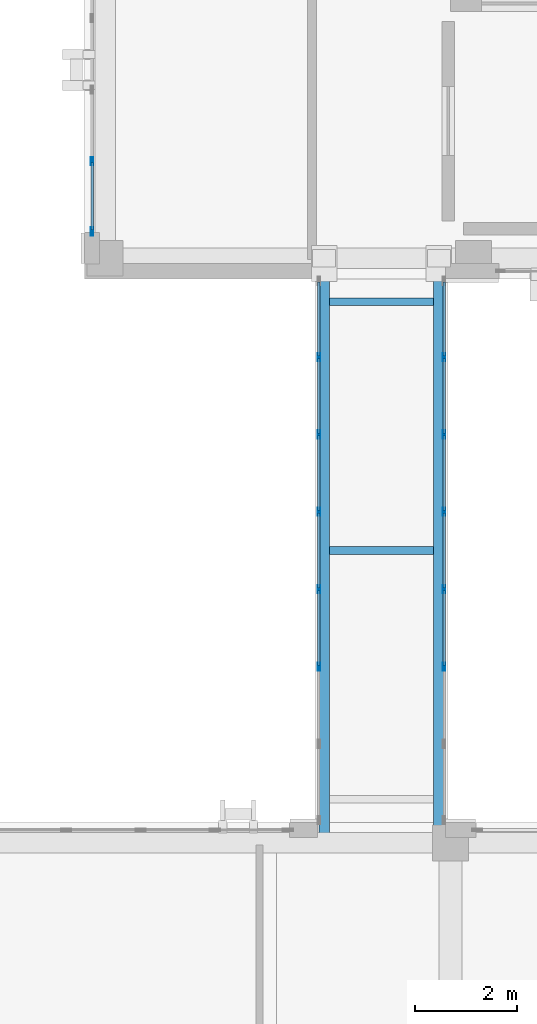
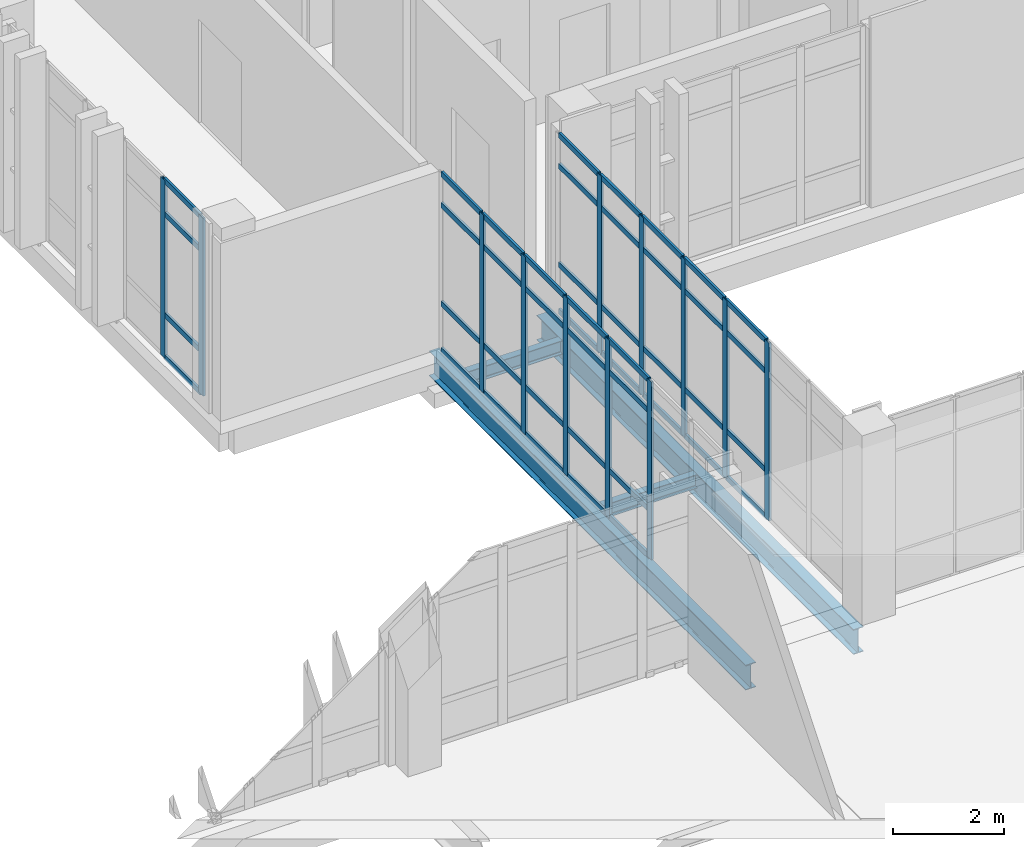
# One storey, part 55 of 165: 56 members, 4 beams, 3 elements without a shape of their own.
"""IFC4 building model written with IfcOpenShell, lengths in metres."""

from ifc_helpers import new_model, si_unit, direction, frame, origin, origin_2d, place, context, subcontext, project, spatial, hollow_rectangle, i_section, extrude, material, layer, layer_set, material_profile, profile_set, type_object, element, aggregate, save


model = new_model("IFC4")

# Units and contexts
model_context = context("Model", 3, precision=1e-05, world=origin(), true_north=direction((0.0, 1.0)))
body_context = subcontext(model_context, "Body", "Model", "MODEL_VIEW")
ifc_project = project(units=[si_unit("LENGTHUNIT", "METRE"), si_unit("AREAUNIT", "SQUARE_METRE"), si_unit("VOLUMEUNIT", "CUBIC_METRE"), si_unit("PLANEANGLEUNIT", "RADIAN"), si_unit("MASSUNIT", "GRAM", prefix="KILO")], contexts=[model_context])

# Site, building, storey
site_placement = place(None, origin())
site = spatial("IfcSite", under=ifc_project, at=site_placement, CompositionType="ELEMENT")
building_placement = place(site_placement, origin())
building = spatial("IfcBuilding", under=site, at=building_placement, Name="Qalavern Law Courts", CompositionType="ELEMENT")
storey_placement = place(building_placement, frame((0.0, 0.0, 14.39990234375)))
storey = spatial("IfcBuildingStorey", under=building, at=storey_placement, Name="L03", CompositionType="ELEMENT", Elevation=14.39990234375)

# Curtain wall, members
ifc_material_1 = material(Name="Anodised aluminium and insulated glazing", Category="aluminium")
ifc_layer_1 = layer(ifc_material_1, 0.172119140625)
ifc_layer_set_1 = layer_set([ifc_layer_1], Name="Anodised aluminium and insulated glazing")
curtain_wall_type_1 = type_object("IfcCurtainWallType", Name="ENV-CW-COURT", PredefinedType="USERDEFINED", material=ifc_layer_set_1)
curtain_wall_1_placement = place(storey_placement, origin())
curtain_wall_1 = element("IfcCurtainWall", 1, at=curtain_wall_1_placement, inside=storey, type_object=curtain_wall_type_1, Name="V4 unitised curtain wall L03 west 6", ObjectType="UNITISED CURTAIN WALL", PredefinedType="USERDEFINED")
ifc_material_2 = material(Name="Anodised aluminium", Category="aluminium")
ifc_material_profile_1 = material_profile(ifc_material_2, hollow_rectangle(XDim=0.048095703125, YDim=0.159912109375, WallThickness=0.00390625, at=origin_2d()), Name="ALU MULLION 48x160")
ifc_profile_set_1 = profile_set([ifc_material_profile_1], Name="Anodised aluminium")
member_type_1 = type_object("IfcMemberType", Name="ENV-CWM-48x160", PredefinedType="MULLION", material=ifc_profile_set_1)
member_1_placement = place(storey_placement, frame((84.347412109375, 43.31591796875, 0.0), z_axis=(0.0, 0.0, 1.0), x_axis=(1.0, 0.0, 0.0)))
member_1 = element("IfcMember", 2, at=member_1_placement, type_object=member_type_1, Name="CW-03 mullion 5", PredefinedType="MULLION", context=body_context, shape_type="SweptSolid", body=[
    extrude(hollow_rectangle(XDim=0.048095703125, YDim=0.159912109375, WallThickness=0.00390625, at=origin_2d()), origin(), (0.0, 0.0, 1.0), 3.920166015625),
])
member_2_placement = place(storey_placement, frame((84.347412109375, 41.944091796875, 0.0), z_axis=(0.0, 0.0, 1.0), x_axis=(1.0, 0.0, 0.0)))
member_2 = element("IfcMember", 3, at=member_2_placement, type_object=member_type_1, Name="CW-03 mullion 6", PredefinedType="MULLION", context=body_context, shape_type="SweptSolid", body=[
    extrude(hollow_rectangle(XDim=0.048095703125, YDim=0.159912109375, WallThickness=0.00390625, at=origin_2d()), origin(), (0.0, 0.0, 1.0), 3.920166015625),
])

ifc_layer_2 = layer(ifc_material_1, 0.14990234375)
ifc_layer_set_2 = layer_set([ifc_layer_2], Name="Anodised aluminium and insulated glazing")
curtain_wall_type_2 = type_object("IfcCurtainWallType", Name="ENV-CW-BRG", PredefinedType="USERDEFINED", material=ifc_layer_set_2)
curtain_wall_2_placement = place(storey_placement, origin())
curtain_wall_2 = element("IfcCurtainWall", 4, at=curtain_wall_2_placement, inside=storey, type_object=curtain_wall_type_2, Name="Bridge BR-V2-V4 glazed curtain wall L03-1", ObjectType="UNITISED CURTAIN WALL", PredefinedType="USERDEFINED")
member_3_placement = place(storey_placement, frame((88.77490234375, 39.488525390625, 0.0), z_axis=(0.0, 0.0, 1.0), x_axis=(1.0, 0.0, 0.0)))
member_3 = element("IfcMember", 5, at=member_3_placement, type_object=member_type_1, Name="CW-06 mullion 2", PredefinedType="MULLION", context=body_context, shape_type="SweptSolid", body=[
    extrude(hollow_rectangle(XDim=0.048095703125, YDim=0.159912109375, WallThickness=0.00390625, at=origin_2d()), origin(), (0.0, 0.0, 1.0), 3.920166015625),
])
member_4_placement = place(storey_placement, frame((88.77490234375, 37.97705078125, 0.0), z_axis=(0.0, 0.0, 1.0), x_axis=(1.0, 0.0, 0.0)))
member_4 = element("IfcMember", 6, at=member_4_placement, type_object=member_type_1, Name="CW-06 mullion 3", PredefinedType="MULLION", context=body_context, shape_type="SweptSolid", body=[
    extrude(hollow_rectangle(XDim=0.048095703125, YDim=0.159912109375, WallThickness=0.00390625, at=origin_2d()), origin(), (0.0, 0.0, 1.0), 3.920166015625),
])
member_5_placement = place(storey_placement, frame((88.77490234375, 36.4658203125, 0.0), z_axis=(0.0, 0.0, 1.0), x_axis=(1.0, 0.0, 0.0)))
member_5 = element("IfcMember", 7, at=member_5_placement, type_object=member_type_1, Name="CW-06 mullion 4", PredefinedType="MULLION", context=body_context, shape_type="SweptSolid", body=[
    extrude(hollow_rectangle(XDim=0.048095703125, YDim=0.159912109375, WallThickness=0.00390625, at=origin_2d()), origin(), (0.0, 0.0, 1.0), 3.920166015625),
])
member_6_placement = place(storey_placement, frame((88.77490234375, 34.954345703125, 0.0), z_axis=(0.0, 0.0, 1.0), x_axis=(1.0, 0.0, 0.0)))
member_6 = element("IfcMember", 8, at=member_6_placement, type_object=member_type_1, Name="CW-06 mullion 5", PredefinedType="MULLION", context=body_context, shape_type="SweptSolid", body=[
    extrude(hollow_rectangle(XDim=0.048095703125, YDim=0.159912109375, WallThickness=0.00390625, at=origin_2d()), origin(), (0.0, 0.0, 1.0), 3.920166015625),
])
member_7_placement = place(storey_placement, frame((88.77490234375, 33.44287109375, 0.0), z_axis=(0.0, 0.0, 1.0), x_axis=(1.0, 0.0, 0.0)))
member_7 = element("IfcMember", 9, at=member_7_placement, type_object=member_type_1, Name="CW-06 mullion 6", PredefinedType="MULLION", context=body_context, shape_type="SweptSolid", body=[
    extrude(hollow_rectangle(XDim=0.048095703125, YDim=0.159912109375, WallThickness=0.00390625, at=origin_2d()), origin(), (0.0, 0.0, 1.0), 3.920166015625),
])

curtain_wall_3_placement = place(storey_placement, origin())
curtain_wall_3 = element("IfcCurtainWall", 10, at=curtain_wall_3_placement, inside=storey, type_object=curtain_wall_type_2, Name="Bridge BR-V2-V4 glazed curtain wall L03-2", ObjectType="UNITISED CURTAIN WALL", PredefinedType="USERDEFINED")
member_8_placement = place(storey_placement, frame((91.22509765625, 33.44287109375, 0.0), z_axis=(0.0, 0.0, 1.0), x_axis=(-1.0, 0.0, 0.0)))
member_8 = element("IfcMember", 11, at=member_8_placement, type_object=member_type_1, Name="CW-06 mullion 3", PredefinedType="MULLION", context=body_context, shape_type="SweptSolid", body=[
    extrude(hollow_rectangle(XDim=0.048095703125, YDim=0.159912109375, WallThickness=0.00390625, at=origin_2d()), origin(), (0.0, 0.0, 1.0), 3.920166015625),
])
member_9_placement = place(storey_placement, frame((91.22509765625, 34.954345703125, 0.0), z_axis=(0.0, 0.0, 1.0), x_axis=(-1.0, 0.0, 0.0)))
member_9 = element("IfcMember", 12, at=member_9_placement, type_object=member_type_1, Name="CW-06 mullion 4", PredefinedType="MULLION", context=body_context, shape_type="SweptSolid", body=[
    extrude(hollow_rectangle(XDim=0.048095703125, YDim=0.159912109375, WallThickness=0.00390625, at=origin_2d()), origin(), (0.0, 0.0, 1.0), 3.920166015625),
])
member_10_placement = place(storey_placement, frame((91.22509765625, 36.4658203125, 0.0), z_axis=(0.0, 0.0, 1.0), x_axis=(-1.0, 0.0, 0.0)))
member_10 = element("IfcMember", 13, at=member_10_placement, type_object=member_type_1, Name="CW-06 mullion 5", PredefinedType="MULLION", context=body_context, shape_type="SweptSolid", body=[
    extrude(hollow_rectangle(XDim=0.048095703125, YDim=0.159912109375, WallThickness=0.00390625, at=origin_2d()), origin(), (0.0, 0.0, 1.0), 3.920166015625),
])
member_11_placement = place(storey_placement, frame((91.22509765625, 37.97705078125, 0.0), z_axis=(0.0, 0.0, 1.0), x_axis=(-1.0, 0.0, 0.0)))
member_11 = element("IfcMember", 14, at=member_11_placement, type_object=member_type_1, Name="CW-06 mullion 6", PredefinedType="MULLION", context=body_context, shape_type="SweptSolid", body=[
    extrude(hollow_rectangle(XDim=0.048095703125, YDim=0.159912109375, WallThickness=0.00390625, at=origin_2d()), origin(), (0.0, 0.0, 1.0), 3.920166015625),
])
member_12_placement = place(storey_placement, frame((91.22509765625, 39.488525390625, 0.0), z_axis=(0.0, 0.0, 1.0), x_axis=(-1.0, 0.0, 0.0)))
member_12 = element("IfcMember", 15, at=member_12_placement, type_object=member_type_1, Name="CW-06 mullion 7", PredefinedType="MULLION", context=body_context, shape_type="SweptSolid", body=[
    extrude(hollow_rectangle(XDim=0.048095703125, YDim=0.159912109375, WallThickness=0.00390625, at=origin_2d()), origin(), (0.0, 0.0, 1.0), 3.920166015625),
])

# Member
ifc_material_profile_2 = material_profile(ifc_material_2, hollow_rectangle(XDim=0.048095703125, YDim=0.1201171875, WallThickness=0.00390625, at=origin_2d()), Name="ALU TRANSOM 48x120")
ifc_profile_set_2 = profile_set([ifc_material_profile_2], Name="Anodised aluminium")
member_type_2 = type_object("IfcMemberType", Name="ENV-CWT-48x120", PredefinedType="USERDEFINED", material=ifc_profile_set_2)
member_13_placement = place(storey_placement, frame((84.347412109375, 43.2919921875, 0.024169921875), z_axis=(0.0, -1.0, 0.0), x_axis=(1.0, 0.0, 0.0)))
member_13 = element("IfcMember", 16, at=member_13_placement, type_object=member_type_2, Name="CW-03 transom 5.1", ObjectType="TRANSOM", PredefinedType="USERDEFINED", context=body_context, shape_type="SweptSolid", body=[
    extrude(hollow_rectangle(XDim=0.048095703125, YDim=0.1201171875, WallThickness=0.00390625, at=origin_2d()), origin(), (0.0, 0.0, 1.0), 1.323974609375),
])

member_14_placement = place(storey_placement, frame((84.347412109375, 43.2919921875, 0.9501953125), z_axis=(0.0, -1.0, 0.0), x_axis=(1.0, 0.0, 0.0)))
member_14 = element("IfcMember", 17, at=member_14_placement, type_object=member_type_2, Name="CW-03 transom 5.2", ObjectType="TRANSOM", PredefinedType="USERDEFINED", context=body_context, shape_type="SweptSolid", body=[
    extrude(hollow_rectangle(XDim=0.048095703125, YDim=0.1201171875, WallThickness=0.00390625, at=origin_2d()), origin(), (0.0, 0.0, 1.0), 1.323974609375),
])

member_15_placement = place(storey_placement, frame((84.347412109375, 43.2919921875, 3.170166015625), z_axis=(0.0, -1.0, 0.0), x_axis=(1.0, 0.0, 0.0)))
member_15 = element("IfcMember", 18, at=member_15_placement, type_object=member_type_2, Name="CW-03 transom 5.3", ObjectType="TRANSOM", PredefinedType="USERDEFINED", context=body_context, shape_type="SweptSolid", body=[
    extrude(hollow_rectangle(XDim=0.048095703125, YDim=0.1201171875, WallThickness=0.00390625, at=origin_2d()), origin(), (0.0, 0.0, 1.0), 1.323974609375),
])

member_16_placement = place(storey_placement, frame((84.347412109375, 43.2919921875, 3.89599609375), z_axis=(0.0, -1.0, 0.0), x_axis=(1.0, 0.0, 0.0)))
member_16 = element("IfcMember", 19, at=member_16_placement, type_object=member_type_2, Name="CW-03 transom 5.4", ObjectType="TRANSOM", PredefinedType="USERDEFINED", context=body_context, shape_type="SweptSolid", body=[
    extrude(hollow_rectangle(XDim=0.048095703125, YDim=0.1201171875, WallThickness=0.00390625, at=origin_2d()), origin(), (0.0, 0.0, 1.0), 1.323974609375),
])

aggregate(curtain_wall_1, [member_1, member_2, member_13, member_14, member_15, member_16])

member_17_placement = place(storey_placement, frame((88.77490234375, 40.951904296875, 0.024169921875), z_axis=(0.0, -1.0, 0.0), x_axis=(1.0, 0.0, 0.0)))
member_17 = element("IfcMember", 20, at=member_17_placement, type_object=member_type_2, Name="CW-06 transom 1.1", ObjectType="TRANSOM", PredefinedType="USERDEFINED", context=body_context, shape_type="SweptSolid", body=[
    extrude(hollow_rectangle(XDim=0.048095703125, YDim=0.1201171875, WallThickness=0.00390625, at=origin_2d()), origin(), (0.0, 0.0, 1.0), 1.439453125),
])

member_18_placement = place(storey_placement, frame((88.77490234375, 40.951904296875, 1.050048828125), z_axis=(0.0, -1.0, 0.0), x_axis=(1.0, 0.0, 0.0)))
member_18 = element("IfcMember", 21, at=member_18_placement, type_object=member_type_2, Name="CW-06 transom 1.2", ObjectType="TRANSOM", PredefinedType="USERDEFINED", context=body_context, shape_type="SweptSolid", body=[
    extrude(hollow_rectangle(XDim=0.048095703125, YDim=0.1201171875, WallThickness=0.00390625, at=origin_2d()), origin(), (0.0, 0.0, 1.0), 1.439453125),
])

member_19_placement = place(storey_placement, frame((88.77490234375, 40.951904296875, 3.22021484375), z_axis=(0.0, -1.0, 0.0), x_axis=(1.0, 0.0, 0.0)))
member_19 = element("IfcMember", 22, at=member_19_placement, type_object=member_type_2, Name="CW-06 transom 1.3", ObjectType="TRANSOM", PredefinedType="USERDEFINED", context=body_context, shape_type="SweptSolid", body=[
    extrude(hollow_rectangle(XDim=0.048095703125, YDim=0.1201171875, WallThickness=0.00390625, at=origin_2d()), origin(), (0.0, 0.0, 1.0), 1.439453125),
])

member_20_placement = place(storey_placement, frame((88.77490234375, 40.951904296875, 3.89599609375), z_axis=(0.0, -1.0, 0.0), x_axis=(1.0, 0.0, 0.0)))
member_20 = element("IfcMember", 23, at=member_20_placement, type_object=member_type_2, Name="CW-06 transom 1.4", ObjectType="TRANSOM", PredefinedType="USERDEFINED", context=body_context, shape_type="SweptSolid", body=[
    extrude(hollow_rectangle(XDim=0.048095703125, YDim=0.1201171875, WallThickness=0.00390625, at=origin_2d()), origin(), (0.0, 0.0, 1.0), 1.439453125),
])

member_21_placement = place(storey_placement, frame((88.77490234375, 39.464599609375, 0.024169921875), z_axis=(0.0, -1.0, 0.0), x_axis=(1.0, 0.0, 0.0)))
member_21 = element("IfcMember", 24, at=member_21_placement, type_object=member_type_2, Name="CW-06 transom 2.1", ObjectType="TRANSOM", PredefinedType="USERDEFINED", context=body_context, shape_type="SweptSolid", body=[
    extrude(hollow_rectangle(XDim=0.048095703125, YDim=0.1201171875, WallThickness=0.00390625, at=origin_2d()), origin(), (0.0, 0.0, 1.0), 1.46337890625),
])

member_22_placement = place(storey_placement, frame((88.77490234375, 39.464599609375, 1.050048828125), z_axis=(0.0, -1.0, 0.0), x_axis=(1.0, 0.0, 0.0)))
member_22 = element("IfcMember", 25, at=member_22_placement, type_object=member_type_2, Name="CW-06 transom 2.2", ObjectType="TRANSOM", PredefinedType="USERDEFINED", context=body_context, shape_type="SweptSolid", body=[
    extrude(hollow_rectangle(XDim=0.048095703125, YDim=0.1201171875, WallThickness=0.00390625, at=origin_2d()), origin(), (0.0, 0.0, 1.0), 1.46337890625),
])

member_23_placement = place(storey_placement, frame((88.77490234375, 39.464599609375, 3.22021484375), z_axis=(0.0, -1.0, 0.0), x_axis=(1.0, 0.0, 0.0)))
member_23 = element("IfcMember", 26, at=member_23_placement, type_object=member_type_2, Name="CW-06 transom 2.3", ObjectType="TRANSOM", PredefinedType="USERDEFINED", context=body_context, shape_type="SweptSolid", body=[
    extrude(hollow_rectangle(XDim=0.048095703125, YDim=0.1201171875, WallThickness=0.00390625, at=origin_2d()), origin(), (0.0, 0.0, 1.0), 1.46337890625),
])

member_24_placement = place(storey_placement, frame((88.77490234375, 39.464599609375, 3.89599609375), z_axis=(0.0, -1.0, 0.0), x_axis=(1.0, 0.0, 0.0)))
member_24 = element("IfcMember", 27, at=member_24_placement, type_object=member_type_2, Name="CW-06 transom 2.4", ObjectType="TRANSOM", PredefinedType="USERDEFINED", context=body_context, shape_type="SweptSolid", body=[
    extrude(hollow_rectangle(XDim=0.048095703125, YDim=0.1201171875, WallThickness=0.00390625, at=origin_2d()), origin(), (0.0, 0.0, 1.0), 1.46337890625),
])

member_25_placement = place(storey_placement, frame((88.77490234375, 37.953125, 0.024169921875), z_axis=(0.0, -1.0, 0.0), x_axis=(1.0, 0.0, 0.0)))
member_25 = element("IfcMember", 28, at=member_25_placement, type_object=member_type_2, Name="CW-06 transom 3.1", ObjectType="TRANSOM", PredefinedType="USERDEFINED", context=body_context, shape_type="SweptSolid", body=[
    extrude(hollow_rectangle(XDim=0.048095703125, YDim=0.1201171875, WallThickness=0.00390625, at=origin_2d()), origin(), (0.0, 0.0, 1.0), 1.46337890625),
])

member_26_placement = place(storey_placement, frame((88.77490234375, 37.953125, 1.050048828125), z_axis=(0.0, -1.0, 0.0), x_axis=(1.0, 0.0, 0.0)))
member_26 = element("IfcMember", 29, at=member_26_placement, type_object=member_type_2, Name="CW-06 transom 3.2", ObjectType="TRANSOM", PredefinedType="USERDEFINED", context=body_context, shape_type="SweptSolid", body=[
    extrude(hollow_rectangle(XDim=0.048095703125, YDim=0.1201171875, WallThickness=0.00390625, at=origin_2d()), origin(), (0.0, 0.0, 1.0), 1.46337890625),
])

member_27_placement = place(storey_placement, frame((88.77490234375, 37.953125, 3.22021484375), z_axis=(0.0, -1.0, 0.0), x_axis=(1.0, 0.0, 0.0)))
member_27 = element("IfcMember", 30, at=member_27_placement, type_object=member_type_2, Name="CW-06 transom 3.3", ObjectType="TRANSOM", PredefinedType="USERDEFINED", context=body_context, shape_type="SweptSolid", body=[
    extrude(hollow_rectangle(XDim=0.048095703125, YDim=0.1201171875, WallThickness=0.00390625, at=origin_2d()), origin(), (0.0, 0.0, 1.0), 1.46337890625),
])

member_28_placement = place(storey_placement, frame((88.77490234375, 37.953125, 3.89599609375), z_axis=(0.0, -1.0, 0.0), x_axis=(1.0, 0.0, 0.0)))
member_28 = element("IfcMember", 31, at=member_28_placement, type_object=member_type_2, Name="CW-06 transom 3.4", ObjectType="TRANSOM", PredefinedType="USERDEFINED", context=body_context, shape_type="SweptSolid", body=[
    extrude(hollow_rectangle(XDim=0.048095703125, YDim=0.1201171875, WallThickness=0.00390625, at=origin_2d()), origin(), (0.0, 0.0, 1.0), 1.46337890625),
])

member_29_placement = place(storey_placement, frame((88.77490234375, 36.441650390625, 0.024169921875), z_axis=(0.0, -1.0, 0.0), x_axis=(1.0, 0.0, 0.0)))
member_29 = element("IfcMember", 32, at=member_29_placement, type_object=member_type_2, Name="CW-06 transom 4.1", ObjectType="TRANSOM", PredefinedType="USERDEFINED", context=body_context, shape_type="SweptSolid", body=[
    extrude(hollow_rectangle(XDim=0.048095703125, YDim=0.1201171875, WallThickness=0.00390625, at=origin_2d()), origin(), (0.0, 0.0, 1.0), 1.46337890625),
])

member_30_placement = place(storey_placement, frame((88.77490234375, 36.441650390625, 1.050048828125), z_axis=(0.0, -1.0, 0.0), x_axis=(1.0, 0.0, 0.0)))
member_30 = element("IfcMember", 33, at=member_30_placement, type_object=member_type_2, Name="CW-06 transom 4.2", ObjectType="TRANSOM", PredefinedType="USERDEFINED", context=body_context, shape_type="SweptSolid", body=[
    extrude(hollow_rectangle(XDim=0.048095703125, YDim=0.1201171875, WallThickness=0.00390625, at=origin_2d()), origin(), (0.0, 0.0, 1.0), 1.46337890625),
])

member_31_placement = place(storey_placement, frame((88.77490234375, 36.441650390625, 3.22021484375), z_axis=(0.0, -1.0, 0.0), x_axis=(1.0, 0.0, 0.0)))
member_31 = element("IfcMember", 34, at=member_31_placement, type_object=member_type_2, Name="CW-06 transom 4.3", ObjectType="TRANSOM", PredefinedType="USERDEFINED", context=body_context, shape_type="SweptSolid", body=[
    extrude(hollow_rectangle(XDim=0.048095703125, YDim=0.1201171875, WallThickness=0.00390625, at=origin_2d()), origin(), (0.0, 0.0, 1.0), 1.46337890625),
])

member_32_placement = place(storey_placement, frame((88.77490234375, 36.441650390625, 3.89599609375), z_axis=(0.0, -1.0, 0.0), x_axis=(1.0, 0.0, 0.0)))
member_32 = element("IfcMember", 35, at=member_32_placement, type_object=member_type_2, Name="CW-06 transom 4.4", ObjectType="TRANSOM", PredefinedType="USERDEFINED", context=body_context, shape_type="SweptSolid", body=[
    extrude(hollow_rectangle(XDim=0.048095703125, YDim=0.1201171875, WallThickness=0.00390625, at=origin_2d()), origin(), (0.0, 0.0, 1.0), 1.46337890625),
])

member_33_placement = place(storey_placement, frame((88.77490234375, 34.93017578125, 0.024169921875), z_axis=(0.0, -1.0, 0.0), x_axis=(1.0, 0.0, 0.0)))
member_33 = element("IfcMember", 36, at=member_33_placement, type_object=member_type_2, Name="CW-06 transom 5.1", ObjectType="TRANSOM", PredefinedType="USERDEFINED", context=body_context, shape_type="SweptSolid", body=[
    extrude(hollow_rectangle(XDim=0.048095703125, YDim=0.1201171875, WallThickness=0.00390625, at=origin_2d()), origin(), (0.0, 0.0, 1.0), 1.46337890625),
])

member_34_placement = place(storey_placement, frame((88.77490234375, 34.93017578125, 1.050048828125), z_axis=(0.0, -1.0, 0.0), x_axis=(1.0, 0.0, 0.0)))
member_34 = element("IfcMember", 37, at=member_34_placement, type_object=member_type_2, Name="CW-06 transom 5.2", ObjectType="TRANSOM", PredefinedType="USERDEFINED", context=body_context, shape_type="SweptSolid", body=[
    extrude(hollow_rectangle(XDim=0.048095703125, YDim=0.1201171875, WallThickness=0.00390625, at=origin_2d()), origin(), (0.0, 0.0, 1.0), 1.46337890625),
])

member_35_placement = place(storey_placement, frame((88.77490234375, 34.93017578125, 3.22021484375), z_axis=(0.0, -1.0, 0.0), x_axis=(1.0, 0.0, 0.0)))
member_35 = element("IfcMember", 38, at=member_35_placement, type_object=member_type_2, Name="CW-06 transom 5.3", ObjectType="TRANSOM", PredefinedType="USERDEFINED", context=body_context, shape_type="SweptSolid", body=[
    extrude(hollow_rectangle(XDim=0.048095703125, YDim=0.1201171875, WallThickness=0.00390625, at=origin_2d()), origin(), (0.0, 0.0, 1.0), 1.46337890625),
])

member_36_placement = place(storey_placement, frame((88.77490234375, 34.93017578125, 3.89599609375), z_axis=(0.0, -1.0, 0.0), x_axis=(1.0, 0.0, 0.0)))
member_36 = element("IfcMember", 39, at=member_36_placement, type_object=member_type_2, Name="CW-06 transom 5.4", ObjectType="TRANSOM", PredefinedType="USERDEFINED", context=body_context, shape_type="SweptSolid", body=[
    extrude(hollow_rectangle(XDim=0.048095703125, YDim=0.1201171875, WallThickness=0.00390625, at=origin_2d()), origin(), (0.0, 0.0, 1.0), 1.46337890625),
])

aggregate(curtain_wall_2, [member_3, member_4, member_5, member_6, member_7, member_17, member_18, member_19, member_20, member_21, member_22, member_23, member_24, member_25, member_26, member_27, member_28, member_29, member_30, member_31, member_32, member_33, member_34, member_35, member_36])

member_37_placement = place(storey_placement, frame((91.22509765625, 33.466796875, 0.024169921875), z_axis=(0.0, 1.0, 0.0), x_axis=(-1.0, 0.0, 0.0)))
member_37 = element("IfcMember", 40, at=member_37_placement, type_object=member_type_2, Name="CW-06 transom 3.1", ObjectType="TRANSOM", PredefinedType="USERDEFINED", context=body_context, shape_type="SweptSolid", body=[
    extrude(hollow_rectangle(XDim=0.048095703125, YDim=0.1201171875, WallThickness=0.00390625, at=origin_2d()), origin(), (0.0, 0.0, 1.0), 1.46337890625),
])

member_38_placement = place(storey_placement, frame((91.22509765625, 33.466796875, 1.050048828125), z_axis=(0.0, 1.0, 0.0), x_axis=(-1.0, 0.0, 0.0)))
member_38 = element("IfcMember", 41, at=member_38_placement, type_object=member_type_2, Name="CW-06 transom 3.2", ObjectType="TRANSOM", PredefinedType="USERDEFINED", context=body_context, shape_type="SweptSolid", body=[
    extrude(hollow_rectangle(XDim=0.048095703125, YDim=0.1201171875, WallThickness=0.00390625, at=origin_2d()), origin(), (0.0, 0.0, 1.0), 1.46337890625),
])

member_39_placement = place(storey_placement, frame((91.22509765625, 33.466796875, 3.22021484375), z_axis=(0.0, 1.0, 0.0), x_axis=(-1.0, 0.0, 0.0)))
member_39 = element("IfcMember", 42, at=member_39_placement, type_object=member_type_2, Name="CW-06 transom 3.3", ObjectType="TRANSOM", PredefinedType="USERDEFINED", context=body_context, shape_type="SweptSolid", body=[
    extrude(hollow_rectangle(XDim=0.048095703125, YDim=0.1201171875, WallThickness=0.00390625, at=origin_2d()), origin(), (0.0, 0.0, 1.0), 1.46337890625),
])

member_40_placement = place(storey_placement, frame((91.22509765625, 33.466796875, 3.89599609375), z_axis=(0.0, 1.0, 0.0), x_axis=(-1.0, 0.0, 0.0)))
member_40 = element("IfcMember", 43, at=member_40_placement, type_object=member_type_2, Name="CW-06 transom 3.4", ObjectType="TRANSOM", PredefinedType="USERDEFINED", context=body_context, shape_type="SweptSolid", body=[
    extrude(hollow_rectangle(XDim=0.048095703125, YDim=0.1201171875, WallThickness=0.00390625, at=origin_2d()), origin(), (0.0, 0.0, 1.0), 1.46337890625),
])

member_41_placement = place(storey_placement, frame((91.22509765625, 34.978271484375, 0.024169921875), z_axis=(0.0, 1.0, 0.0), x_axis=(-1.0, 0.0, 0.0)))
member_41 = element("IfcMember", 44, at=member_41_placement, type_object=member_type_2, Name="CW-06 transom 4.1", ObjectType="TRANSOM", PredefinedType="USERDEFINED", context=body_context, shape_type="SweptSolid", body=[
    extrude(hollow_rectangle(XDim=0.048095703125, YDim=0.1201171875, WallThickness=0.00390625, at=origin_2d()), origin(), (0.0, 0.0, 1.0), 1.46337890625),
])

member_42_placement = place(storey_placement, frame((91.22509765625, 34.978271484375, 1.050048828125), z_axis=(0.0, 1.0, 0.0), x_axis=(-1.0, 0.0, 0.0)))
member_42 = element("IfcMember", 45, at=member_42_placement, type_object=member_type_2, Name="CW-06 transom 4.2", ObjectType="TRANSOM", PredefinedType="USERDEFINED", context=body_context, shape_type="SweptSolid", body=[
    extrude(hollow_rectangle(XDim=0.048095703125, YDim=0.1201171875, WallThickness=0.00390625, at=origin_2d()), origin(), (0.0, 0.0, 1.0), 1.46337890625),
])

member_43_placement = place(storey_placement, frame((91.22509765625, 34.978271484375, 3.22021484375), z_axis=(0.0, 1.0, 0.0), x_axis=(-1.0, 0.0, 0.0)))
member_43 = element("IfcMember", 46, at=member_43_placement, type_object=member_type_2, Name="CW-06 transom 4.3", ObjectType="TRANSOM", PredefinedType="USERDEFINED", context=body_context, shape_type="SweptSolid", body=[
    extrude(hollow_rectangle(XDim=0.048095703125, YDim=0.1201171875, WallThickness=0.00390625, at=origin_2d()), origin(), (0.0, 0.0, 1.0), 1.46337890625),
])

member_44_placement = place(storey_placement, frame((91.22509765625, 34.978271484375, 3.89599609375), z_axis=(0.0, 1.0, 0.0), x_axis=(-1.0, 0.0, 0.0)))
member_44 = element("IfcMember", 47, at=member_44_placement, type_object=member_type_2, Name="CW-06 transom 4.4", ObjectType="TRANSOM", PredefinedType="USERDEFINED", context=body_context, shape_type="SweptSolid", body=[
    extrude(hollow_rectangle(XDim=0.048095703125, YDim=0.1201171875, WallThickness=0.00390625, at=origin_2d()), origin(), (0.0, 0.0, 1.0), 1.46337890625),
])

member_45_placement = place(storey_placement, frame((91.22509765625, 36.48974609375, 0.024169921875), z_axis=(0.0, 1.0, 0.0), x_axis=(-1.0, 0.0, 0.0)))
member_45 = element("IfcMember", 48, at=member_45_placement, type_object=member_type_2, Name="CW-06 transom 5.1", ObjectType="TRANSOM", PredefinedType="USERDEFINED", context=body_context, shape_type="SweptSolid", body=[
    extrude(hollow_rectangle(XDim=0.048095703125, YDim=0.1201171875, WallThickness=0.00390625, at=origin_2d()), origin(), (0.0, 0.0, 1.0), 1.46337890625),
])

member_46_placement = place(storey_placement, frame((91.22509765625, 36.48974609375, 1.050048828125), z_axis=(0.0, 1.0, 0.0), x_axis=(-1.0, 0.0, 0.0)))
member_46 = element("IfcMember", 49, at=member_46_placement, type_object=member_type_2, Name="CW-06 transom 5.2", ObjectType="TRANSOM", PredefinedType="USERDEFINED", context=body_context, shape_type="SweptSolid", body=[
    extrude(hollow_rectangle(XDim=0.048095703125, YDim=0.1201171875, WallThickness=0.00390625, at=origin_2d()), origin(), (0.0, 0.0, 1.0), 1.46337890625),
])

member_47_placement = place(storey_placement, frame((91.22509765625, 36.48974609375, 3.22021484375), z_axis=(0.0, 1.0, 0.0), x_axis=(-1.0, 0.0, 0.0)))
member_47 = element("IfcMember", 50, at=member_47_placement, type_object=member_type_2, Name="CW-06 transom 5.3", ObjectType="TRANSOM", PredefinedType="USERDEFINED", context=body_context, shape_type="SweptSolid", body=[
    extrude(hollow_rectangle(XDim=0.048095703125, YDim=0.1201171875, WallThickness=0.00390625, at=origin_2d()), origin(), (0.0, 0.0, 1.0), 1.46337890625),
])

member_48_placement = place(storey_placement, frame((91.22509765625, 36.48974609375, 3.89599609375), z_axis=(0.0, 1.0, 0.0), x_axis=(-1.0, 0.0, 0.0)))
member_48 = element("IfcMember", 51, at=member_48_placement, type_object=member_type_2, Name="CW-06 transom 5.4", ObjectType="TRANSOM", PredefinedType="USERDEFINED", context=body_context, shape_type="SweptSolid", body=[
    extrude(hollow_rectangle(XDim=0.048095703125, YDim=0.1201171875, WallThickness=0.00390625, at=origin_2d()), origin(), (0.0, 0.0, 1.0), 1.46337890625),
])

member_49_placement = place(storey_placement, frame((91.22509765625, 38.001220703125, 0.024169921875), z_axis=(0.0, 1.0, 0.0), x_axis=(-1.0, 0.0, 0.0)))
member_49 = element("IfcMember", 52, at=member_49_placement, type_object=member_type_2, Name="CW-06 transom 6.1", ObjectType="TRANSOM", PredefinedType="USERDEFINED", context=body_context, shape_type="SweptSolid", body=[
    extrude(hollow_rectangle(XDim=0.048095703125, YDim=0.1201171875, WallThickness=0.00390625, at=origin_2d()), origin(), (0.0, 0.0, 1.0), 1.46337890625),
])

member_50_placement = place(storey_placement, frame((91.22509765625, 38.001220703125, 1.050048828125), z_axis=(0.0, 1.0, 0.0), x_axis=(-1.0, 0.0, 0.0)))
member_50 = element("IfcMember", 53, at=member_50_placement, type_object=member_type_2, Name="CW-06 transom 6.2", ObjectType="TRANSOM", PredefinedType="USERDEFINED", context=body_context, shape_type="SweptSolid", body=[
    extrude(hollow_rectangle(XDim=0.048095703125, YDim=0.1201171875, WallThickness=0.00390625, at=origin_2d()), origin(), (0.0, 0.0, 1.0), 1.46337890625),
])

member_51_placement = place(storey_placement, frame((91.22509765625, 38.001220703125, 3.22021484375), z_axis=(0.0, 1.0, 0.0), x_axis=(-1.0, 0.0, 0.0)))
member_51 = element("IfcMember", 54, at=member_51_placement, type_object=member_type_2, Name="CW-06 transom 6.3", ObjectType="TRANSOM", PredefinedType="USERDEFINED", context=body_context, shape_type="SweptSolid", body=[
    extrude(hollow_rectangle(XDim=0.048095703125, YDim=0.1201171875, WallThickness=0.00390625, at=origin_2d()), origin(), (0.0, 0.0, 1.0), 1.46337890625),
])

member_52_placement = place(storey_placement, frame((91.22509765625, 38.001220703125, 3.89599609375), z_axis=(0.0, 1.0, 0.0), x_axis=(-1.0, 0.0, 0.0)))
member_52 = element("IfcMember", 55, at=member_52_placement, type_object=member_type_2, Name="CW-06 transom 6.4", ObjectType="TRANSOM", PredefinedType="USERDEFINED", context=body_context, shape_type="SweptSolid", body=[
    extrude(hollow_rectangle(XDim=0.048095703125, YDim=0.1201171875, WallThickness=0.00390625, at=origin_2d()), origin(), (0.0, 0.0, 1.0), 1.46337890625),
])

member_53_placement = place(storey_placement, frame((91.22509765625, 39.512451171875, 0.024169921875), z_axis=(0.0, 1.0, 0.0), x_axis=(-1.0, 0.0, 0.0)))
member_53 = element("IfcMember", 56, at=member_53_placement, type_object=member_type_2, Name="CW-06 transom 7.1", ObjectType="TRANSOM", PredefinedType="USERDEFINED", context=body_context, shape_type="SweptSolid", body=[
    extrude(hollow_rectangle(XDim=0.048095703125, YDim=0.1201171875, WallThickness=0.00390625, at=origin_2d()), origin(), (0.0, 0.0, 1.0), 1.439453125),
])

member_54_placement = place(storey_placement, frame((91.22509765625, 39.512451171875, 1.050048828125), z_axis=(0.0, 1.0, 0.0), x_axis=(-1.0, 0.0, 0.0)))
member_54 = element("IfcMember", 57, at=member_54_placement, type_object=member_type_2, Name="CW-06 transom 7.2", ObjectType="TRANSOM", PredefinedType="USERDEFINED", context=body_context, shape_type="SweptSolid", body=[
    extrude(hollow_rectangle(XDim=0.048095703125, YDim=0.1201171875, WallThickness=0.00390625, at=origin_2d()), origin(), (0.0, 0.0, 1.0), 1.439453125),
])

member_55_placement = place(storey_placement, frame((91.22509765625, 39.512451171875, 3.22021484375), z_axis=(0.0, 1.0, 0.0), x_axis=(-1.0, 0.0, 0.0)))
member_55 = element("IfcMember", 58, at=member_55_placement, type_object=member_type_2, Name="CW-06 transom 7.3", ObjectType="TRANSOM", PredefinedType="USERDEFINED", context=body_context, shape_type="SweptSolid", body=[
    extrude(hollow_rectangle(XDim=0.048095703125, YDim=0.1201171875, WallThickness=0.00390625, at=origin_2d()), origin(), (0.0, 0.0, 1.0), 1.439453125),
])

member_56_placement = place(storey_placement, frame((91.22509765625, 39.512451171875, 3.89599609375), z_axis=(0.0, 1.0, 0.0), x_axis=(-1.0, 0.0, 0.0)))
member_56 = element("IfcMember", 59, at=member_56_placement, type_object=member_type_2, Name="CW-06 transom 7.4", ObjectType="TRANSOM", PredefinedType="USERDEFINED", context=body_context, shape_type="SweptSolid", body=[
    extrude(hollow_rectangle(XDim=0.048095703125, YDim=0.1201171875, WallThickness=0.00390625, at=origin_2d()), origin(), (0.0, 0.0, 1.0), 1.439453125),
])

aggregate(curtain_wall_3, [member_8, member_9, member_10, member_11, member_12, member_37, member_38, member_39, member_40, member_41, member_42, member_43, member_44, member_45, member_46, member_47, member_48, member_49, member_50, member_51, member_52, member_53, member_54, member_55, member_56])

# Beams
ifc_material_3 = material(Name="Steel S355", Category="steel")
ifc_material_profile_3 = material_profile(ifc_material_3, i_section(OverallWidth=0.2099609375, OverallDepth=0.550048828125, WebThickness=0.010986328125, FlangeThickness=0.01708984375, FilletRadius=0.02392578125, at=origin_2d()), Name="IPE 550")
ifc_profile_set_3 = profile_set([ifc_material_profile_3], Name="Steel S355")
beam_type_1 = type_object("IfcBeamType", Name="STR-BM-IPE550", PredefinedType="BEAM", material=ifc_profile_set_3)
for number, where, z_axis, x_axis, name in (
    (60, (88.8798828125, 30.0, -0.559814453125), (0.0, 1.0, 0.0), (-1.0, 0.0, 0.0), "Bridge BR-V2-V4 edge girder 1 L03"),
    (61, (91.1201171875, 30.0, -0.559814453125), (0.0, 1.0, 0.0), (-1.0, 0.0, 0.0), "Bridge BR-V2-V4 edge girder 2 L03"),
):
    element("IfcBeam", number, at=place(storey_placement, frame(where, z_axis=z_axis, x_axis=x_axis)), inside=storey, type_object=beam_type_1, Name=name, PredefinedType="BEAM", context=body_context, shape_type="SweptSolid", body=[
        extrude(i_section(OverallWidth=0.2099609375, OverallDepth=0.550048828125, WebThickness=0.010986328125, FlangeThickness=0.01708984375, FilletRadius=0.02392578125, at=origin_2d()), origin(), (0.0, 0.0, 1.0), 11.419921875),
    ])
ifc_material_profile_4 = material_profile(ifc_material_3, i_section(OverallWidth=0.14990234375, OverallDepth=0.300048828125, WebThickness=0.007080078125, FlangeThickness=0.0107421875, FilletRadius=0.014892578125, at=origin_2d()), Name="IPE 300")
ifc_profile_set_4 = profile_set([ifc_material_profile_4], Name="Steel S355")
beam_type_2 = type_object("IfcBeamType", Name="STR-JST-IPE300", PredefinedType="JOIST", material=ifc_profile_set_4)
for number, where, z_axis, x_axis, name in (
    (62, (88.97998046875, 35.7099609375, -0.434814453125), (1.0, 0.0, 0.0), (0.0, 1.0, 0.0), "Bridge BR-V2-V4 cross beam 2 L03"),
    (63, (88.97998046875, 40.570068359375, -0.434814453125), (1.0, 0.0, 0.0), (0.0, 1.0, 0.0), "Bridge BR-V2-V4 cross beam 3 L03"),
):
    element("IfcBeam", number, at=place(storey_placement, frame(where, z_axis=z_axis, x_axis=x_axis)), inside=storey, type_object=beam_type_2, Name=name, PredefinedType="JOIST", context=body_context, shape_type="SweptSolid", body=[
        extrude(i_section(OverallWidth=0.14990234375, OverallDepth=0.300048828125, WebThickness=0.007080078125, FlangeThickness=0.0107421875, FilletRadius=0.014892578125, at=origin_2d()), origin(), (0.0, 0.0, 1.0), 2.0400390625),
    ])

save(model, "model.ifc")
